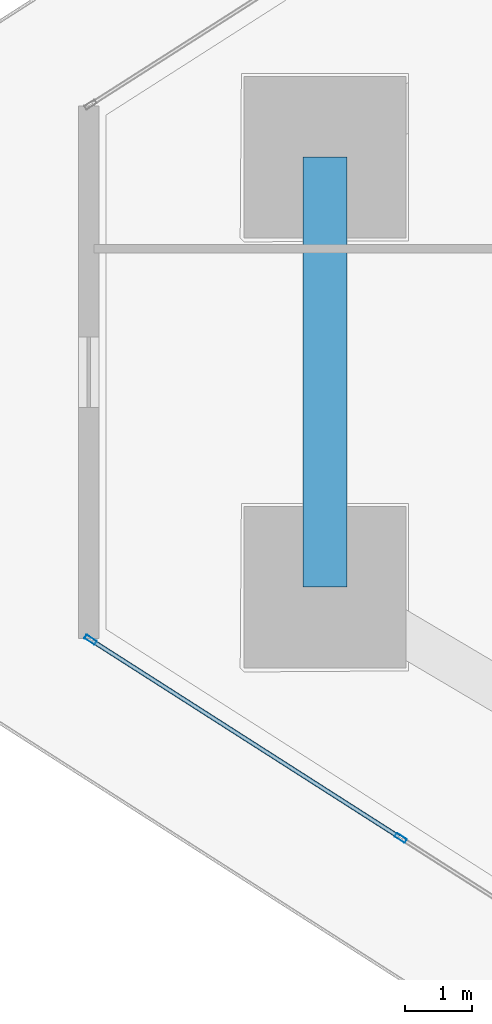
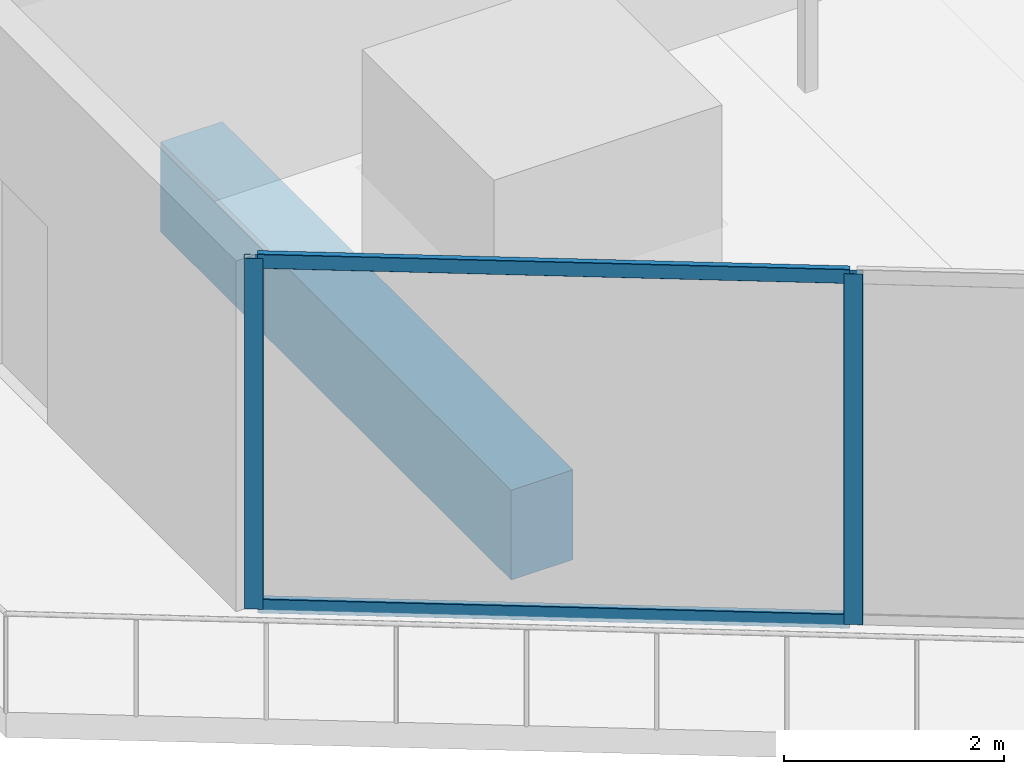
# One storey, part 4 of 45: 4 members, 1 beam, 1 element without a shape of its own.
"""IFC4 building model written with IfcOpenShell, lengths in metres."""

from ifc_helpers import new_model, si_unit, direction, frame, origin, origin_2d, place, context, subcontext, project, spatial, rectangle, hollow_rectangle, extrude, material, layer, layer_set, material_profile, profile_set, type_object, element, aggregate, save


model = new_model("IFC4")

# Units and contexts
model_context = context("Model", 3, precision=1e-05, world=origin(), true_north=direction((0.0, 1.0)))
body_context = subcontext(model_context, "Body", "Model", "MODEL_VIEW")
ifc_project = project(units=[si_unit("LENGTHUNIT", "METRE"), si_unit("AREAUNIT", "SQUARE_METRE"), si_unit("VOLUMEUNIT", "CUBIC_METRE"), si_unit("PLANEANGLEUNIT", "RADIAN"), si_unit("MASSUNIT", "GRAM", prefix="KILO")], contexts=[model_context])

# Site, building, storey
site_placement = place(None, origin())
site = spatial("IfcSite", under=ifc_project, at=site_placement, CompositionType="ELEMENT")
building_placement = place(site_placement, origin())
building = spatial("IfcBuilding", under=site, at=building_placement, Name="Qorvath Tower", CompositionType="ELEMENT")
storey_placement = place(building_placement, frame((0.0, 0.0, 95.39990234375)))
storey = spatial("IfcBuildingStorey", under=building, at=storey_placement, Name="L21", CompositionType="ELEMENT", Elevation=95.39990234375)

# Beam
ifc_material_1 = material(Name="Concrete C50/60", Category="concrete")
ifc_material_profile_1 = material_profile(ifc_material_1, rectangle(XDim=0.64990234375, YDim=1.0, at=origin_2d()), Name="RCB 1000x650")
ifc_profile_set_1 = profile_set([ifc_material_profile_1], Name="Concrete C50/60")
beam_type = type_object("IfcBeamType", Name="BM-RCB1", PredefinedType="SPANDREL", material=ifc_profile_set_1)
beam_placement = place(storey_placement, frame((-55.282958984375, 3.194580078125, -0.77978515625), z_axis=(0.0, -1.0, 0.0), x_axis=(1.0, 0.0, 0.0)))
element("IfcBeam", 1, at=beam_placement, inside=storey, type_object=beam_type, Name="Perimeter Loggia Frame Beam MC1-MC2 L21", PredefinedType="SPANDREL", context=body_context, shape_type="SweptSolid", body=[
    extrude(rectangle(XDim=0.64990234375, YDim=1.0, at=origin_2d()), origin(), (0.0, 0.0, 1.0), 6.38916015625),
])

# Curtain wall, members
ifc_material_2 = material(Name="Anodised aluminium and triple low-E glass", Category="aluminium")
ifc_layer = layer(ifc_material_2, 0.179931640625)
ifc_layer_set = layer_set([ifc_layer], Name="CW-SYS-2")
curtain_wall_type = type_object("IfcCurtainWallType", Name="CW-SYS-2", PredefinedType="NOTDEFINED", material=ifc_layer_set)
curtain_wall_placement = place(storey_placement, origin())
curtain_wall = element("IfcCurtainWall", 2, at=curtain_wall_placement, inside=storey, type_object=curtain_wall_type, Name="Curtain Wall CW-2 CW-T-L21-2.1", PredefinedType="NOTDEFINED")
ifc_material_3 = material(Name="Anodised aluminium 6063-T6", Category="aluminium")
ifc_material_profile_2 = material_profile(ifc_material_3, hollow_rectangle(XDim=0.06494140625, YDim=0.179931640625, WallThickness=0.00341796875, InnerFilletRadius=0.00341796875, OuterFilletRadius=0.007080078125, at=origin_2d()), Name="CWM 180x65")
ifc_profile_set_2 = profile_set([ifc_material_profile_2], Name="Anodised aluminium 6063-T6")
member_type_1 = type_object("IfcMemberType", Name="CWM-180", PredefinedType="MULLION", material=ifc_profile_set_2)
member_1_placement = place(storey_placement, frame((-58.765869140625, -3.975341796875, 0.0), z_axis=(0.0, 0.0, 1.0), x_axis=(0.53852928912, 0.842606791309, 0.0)))
member_1 = element("IfcMember", 3, at=member_1_placement, type_object=member_type_1, Name="CW-2 mullion 1", PredefinedType="MULLION", context=body_context, shape_type="SweptSolid", body=[
    extrude(hollow_rectangle(XDim=0.06494140625, YDim=0.179931640625, WallThickness=0.00341796875, InnerFilletRadius=0.00341796875, OuterFilletRadius=0.007080078125, at=origin_2d()), origin(), (0.0, 0.0, 1.0), 3.900146484375),
])
member_2_placement = place(storey_placement, frame((-54.158935546875, -6.919677734375, 0.0), z_axis=(0.0, 0.0, 1.0), x_axis=(0.53852928912, 0.842606791309, 0.0)))
member_2 = element("IfcMember", 4, at=member_2_placement, type_object=member_type_1, Name="CW-2 mullion 2", PredefinedType="MULLION", context=body_context, shape_type="SweptSolid", body=[
    extrude(hollow_rectangle(XDim=0.06494140625, YDim=0.179931640625, WallThickness=0.00341796875, InnerFilletRadius=0.00341796875, OuterFilletRadius=0.007080078125, at=origin_2d()), origin(), (0.0, 0.0, 1.0), 3.900146484375),
])
ifc_material_4 = material(Name="Anodised aluminium 6063-T6", Category="aluminium")
ifc_material_profile_3 = material_profile(ifc_material_4, hollow_rectangle(XDim=0.06494140625, YDim=0.159912109375, WallThickness=0.00341796875, InnerFilletRadius=0.00341796875, OuterFilletRadius=0.007080078125, at=origin_2d()), Name="CWT 160x65")
ifc_profile_set_3 = profile_set([ifc_material_profile_3], Name="Anodised aluminium 6063-T6")
member_type_2 = type_object("IfcMemberType", Name="CWT-160", PredefinedType="USERDEFINED", material=ifc_profile_set_3)
member_3_placement = place(storey_placement, frame((-58.738525390625, -3.992919921875, 0.032470703125), z_axis=(0.842629048845, -0.538494462407, 0.0), x_axis=(0.538494462407, 0.842629048845, 0.0)))
member_3 = element("IfcMember", 5, at=member_3_placement, type_object=member_type_2, Name="CW-2 transom 1.1", ObjectType="TRANSOM", PredefinedType="USERDEFINED", context=body_context, shape_type="SweptSolid", body=[
    extrude(hollow_rectangle(XDim=0.06494140625, YDim=0.159912109375, WallThickness=0.00341796875, InnerFilletRadius=0.00341796875, OuterFilletRadius=0.007080078125, at=origin_2d()), origin(), (0.0, 0.0, 1.0), 5.40234375),
])
member_4_placement = place(storey_placement, frame((-58.738525390625, -3.992919921875, 3.86767578125), z_axis=(0.842629048845, -0.538494462407, 0.0), x_axis=(0.538494462407, 0.842629048845, 0.0)))
member_4 = element("IfcMember", 6, at=member_4_placement, type_object=member_type_2, Name="CW-2 transom 1.2", ObjectType="TRANSOM", PredefinedType="USERDEFINED", context=body_context, shape_type="SweptSolid", body=[
    extrude(hollow_rectangle(XDim=0.06494140625, YDim=0.159912109375, WallThickness=0.00341796875, InnerFilletRadius=0.00341796875, OuterFilletRadius=0.007080078125, at=origin_2d()), origin(), (0.0, 0.0, 1.0), 5.40234375),
])
aggregate(curtain_wall, [member_1, member_2, member_3, member_4])

save(model, "model.ifc")
